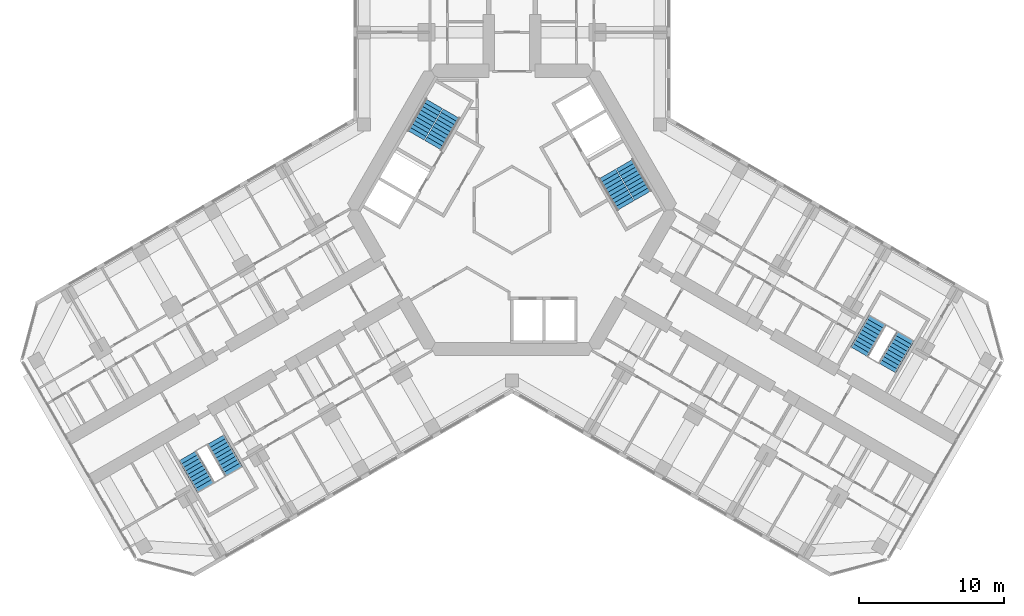
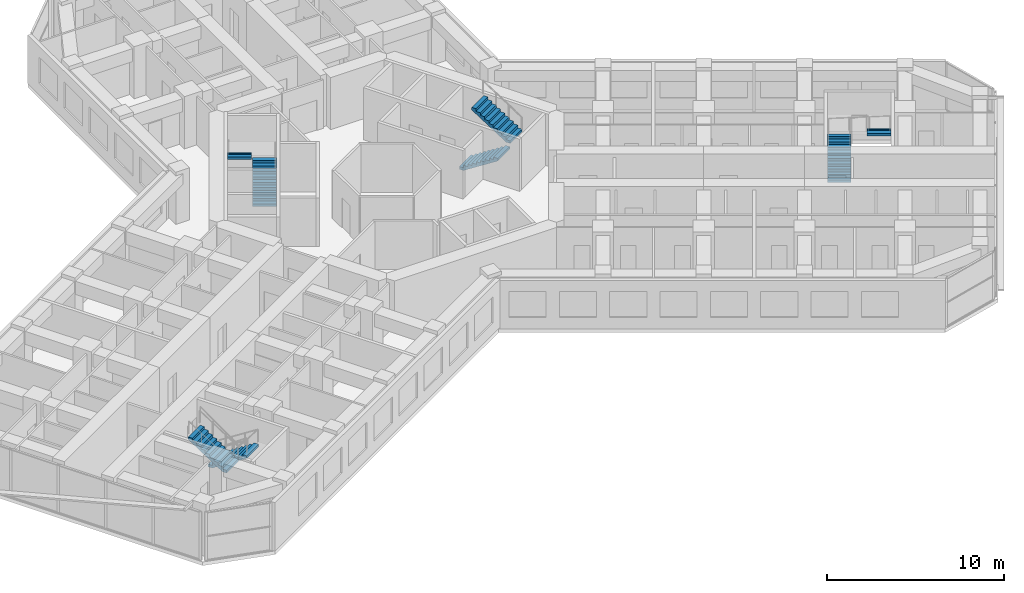
# One storey, part 19 of 20: 8 stair flights, 4 elements without a shape of their own.
"""IFC4 building model written with IfcOpenShell, lengths in metres."""

import ifcopenshell
import ifcopenshell.guid

model = None  # the IFC model being written
_history = None  # IfcOwnerHistory: only IFC2X3 demands one
_inside = {}  # id of a spatial element -> (the spatial element, [elements in it])
_under = {}  # id of a project, library or spatial element -> (it, [spatial elements below it])
_declared = {}  # id of a project -> (the project, [libraries it declares])
_typed = {}  # id of a type object -> (the type object, [elements of that type])
_made_of = {}  # id of a material, layer set ... -> (it, [elements and type objects made of it])


def new_model(schema):
    """Start an empty IFC model of exactly this schema.

    Asked for "IFC4X3", IfcOpenShell would pick the latest addendum, in which some entities
    have other attributes; the version numbers below select the first issue.
    IFC2X3 requires an IfcOwnerHistory on every rooted entity: one is made here for all.
    """
    global model, _history
    if schema == "IFC4X3":
        model = ifcopenshell.file(schema_version=(4, 3, 0, 0))
    else:
        model = ifcopenshell.file(schema=schema)
    _inside.clear()
    _under.clear()
    _declared.clear()
    _typed.clear()
    _made_of.clear()
    _history = None
    if model.schema == "IFC2X3":
        org = make("IfcOrganization", Name="unknown")
        user = make(
            "IfcPersonAndOrganization",
            ThePerson=make("IfcPerson", FamilyName="unknown"),
            TheOrganization=org,
        )
        app = make(
            "IfcApplication",
            ApplicationDeveloper=org,
            Version="unknown",
            ApplicationFullName="unknown",
            ApplicationIdentifier="unknown",
        )
        _history = make(
            "IfcOwnerHistory",
            OwningUser=user,
            OwningApplication=app,
            ChangeAction="ADDED",
            CreationDate=0,
        )
    return model


def make(cls, **values):
    """One entity of the class cls with the attributes given. An attribute that is None is left unset."""
    return model.create_entity(
        cls, **{name: value for name, value in values.items() if value is not None}
    )


def rooted(cls, **values):
    """An entity with a GlobalId (a new one), such as an element, a storey or a relation."""
    return make(cls, GlobalId=ifcopenshell.guid.new(), OwnerHistory=_history, **values)


def si_unit(unit_type, name, prefix=None):
    """IfcSIUnit, for example si_unit("LENGTHUNIT", "METRE", prefix="MILLI")."""
    return make("IfcSIUnit", UnitType=unit_type, Prefix=prefix, Name=name)


def assignment(units):
    """IfcUnitAssignment: the units of a project."""
    return None if units is None else make("IfcUnitAssignment", Units=units)


def point(xyz):
    """IfcCartesianPoint."""
    return None if xyz is None else make("IfcCartesianPoint", Coordinates=xyz)


def direction(xyz):
    """IfcDirection."""
    return None if xyz is None else make("IfcDirection", DirectionRatios=xyz)


def frame(location, z_axis=None, x_axis=None):
    """IfcAxis2Placement3D, a coordinate frame: its origin and axes. An axis left out is left unset."""
    return make(
        "IfcAxis2Placement3D",
        Location=point(location),
        Axis=direction(z_axis),
        RefDirection=direction(x_axis),
    )


def origin():
    """The frame at (0, 0, 0) with its axes left unset."""
    return frame((0.0, 0.0, 0.0))


def place(relative_to, where):
    """IfcLocalPlacement: puts the frame where relative to a parent placement (None: the world)."""
    return make(
        "IfcLocalPlacement", PlacementRelTo=relative_to, RelativePlacement=where
    )


def context(
    kind, dimensions, precision=None, world=None, true_north=None, identifier=None
):
    """IfcGeometricRepresentationContext, for example the 3D "Model" context."""
    return make(
        "IfcGeometricRepresentationContext",
        ContextIdentifier=identifier,
        ContextType=kind,
        CoordinateSpaceDimension=dimensions,
        Precision=precision,
        WorldCoordinateSystem=world,
        TrueNorth=true_north,
    )


def subcontext(parent, identifier, kind, view, scale=None):
    """IfcGeometricRepresentationSubContext, for example "Body" below "Model"."""
    return make(
        "IfcGeometricRepresentationSubContext",
        ContextIdentifier=identifier,
        ContextType=kind,
        ParentContext=parent,
        TargetScale=scale,
        TargetView=view,
    )


def project(units=None, contexts=None):
    """IfcProject with its units and contexts."""
    return rooted(
        "IfcProject",
        Name="project",
        RepresentationContexts=contexts,
        UnitsInContext=assignment(units),
    )


def spatial(cls, under=None, at=None, **own):
    """A site, building, storey or space (cls), placed at a placement, below another one or the project."""
    s = rooted(cls, ObjectPlacement=at, **own)
    if under is not None:
        _under.setdefault(under.id(), (under, []))[1].append(s)
    return s


def polyline(points):
    """IfcPolyline through the points."""
    return make("IfcPolyline", Points=[point(p) for p in points])


def outline(outer, holes=None, kind="AREA"):
    """IfcArbitraryClosedProfileDef: a profile drawn as a closed curve; with holes, ...WithVoids."""
    if holes is None:
        return make("IfcArbitraryClosedProfileDef", ProfileType=kind, OuterCurve=outer)
    return make(
        "IfcArbitraryProfileDefWithVoids",
        ProfileType=kind,
        OuterCurve=outer,
        InnerCurves=holes,
    )


def extrude(swept, where, along, depth):
    """IfcExtrudedAreaSolid: the profile swept, set in the frame where, extruded along a direction by depth."""
    return make(
        "IfcExtrudedAreaSolid",
        SweptArea=swept,
        Position=where,
        ExtrudedDirection=direction(along),
        Depth=depth,
    )


def shape(context_of_items, identifier, shape_type, items):
    """IfcShapeRepresentation: the items that make up one representation, for example the "Body"."""
    return make(
        "IfcShapeRepresentation",
        ContextOfItems=context_of_items,
        RepresentationIdentifier=identifier,
        RepresentationType=shape_type,
        Items=items,
    )


def material(Name=None, Category=None):
    """IfcMaterial."""
    return make("IfcMaterial", Name=Name, Category=Category)


def made_of(thing, what):
    """Note that an element or type object is made of a material, layer set ...; save() writes the relation."""
    if what is not None:
        _made_of.setdefault(what.id(), (what, []))[1].append(thing)
    return thing


def type_object(cls, material=None, **own):
    """A type object (cls), such as IfcWallType, which elements share."""
    return made_of(rooted(cls, **own), material)


def element(
    cls,
    number,
    at=None,
    inside=None,
    cuts=None,
    type_object=None,
    material=None,
    context=None,
    identifier="Body",
    shape_type=None,
    held_by="IfcProductDefinitionShape",
    body=None,
    shapes=None,
    **own,
):
    """One element of the class cls, such as IfcWall. Its Tag is "e" and its number.

    at: its placement. inside: the storey or other place that contains it. cuts: it is an
    opening in that element (IfcRelVoidsElement). A single representation is given by context,
    identifier, shape_type and body (its items); several are given by shapes. held_by: the class
    of the entity that holds the representations. save() writes the other relations.
    """
    e = rooted(cls, Tag="e%d" % number, ObjectPlacement=at, **own)
    if body is not None:
        shapes = [shape(context, identifier, shape_type, body)]
    if shapes is not None:
        e.Representation = make(held_by, Representations=shapes)
    if inside is not None:
        _inside.setdefault(inside.id(), (inside, []))[1].append(e)
    if cuts is not None:
        rooted(
            "IfcRelVoidsElement", RelatingBuildingElement=cuts, RelatedOpeningElement=e
        )
    if type_object is not None:
        _typed.setdefault(type_object.id(), (type_object, []))[1].append(e)
    return made_of(e, material)


def aggregate(whole, parts):
    """IfcRelAggregates: a whole, such as a stair, and the parts it consists of."""
    return rooted("IfcRelAggregates", RelatingObject=whole, RelatedObjects=parts)


def save(model, path):
    """Write the relations noted so far, then the file.

    IfcRelAggregates (storeys below a building ...), IfcRelContainedInSpatialStructure (elements
    in a storey), IfcRelDefinesByType, IfcRelAssociatesMaterial and IfcRelDeclares: one each for
    every whole, place, type object, material and project.
    """
    for whole, parts in _under.values():
        aggregate(whole, parts)
    for where, things in _inside.values():
        rooted(
            "IfcRelContainedInSpatialStructure",
            RelatedElements=things,
            RelatingStructure=where,
        )
    for kind, things in _typed.values():
        rooted("IfcRelDefinesByType", RelatedObjects=things, RelatingType=kind)
    for what, things in _made_of.values():
        rooted("IfcRelAssociatesMaterial", RelatedObjects=things, RelatingMaterial=what)
    for by, libraries in _declared.values():
        rooted("IfcRelDeclares", RelatingContext=by, RelatedDefinitions=libraries)
    model.write(path)


model = new_model("IFC4")

# Units and contexts
model_context = context("Model", 3, precision=1e-05, world=origin(), true_north=direction((0.0, 1.0)))
body_context = subcontext(model_context, "Body", "Model", "MODEL_VIEW")
ifc_project = project(units=[si_unit("LENGTHUNIT", "METRE"), si_unit("AREAUNIT", "SQUARE_METRE"), si_unit("VOLUMEUNIT", "CUBIC_METRE"), si_unit("PLANEANGLEUNIT", "RADIAN"), si_unit("MASSUNIT", "GRAM", prefix="KILO")], contexts=[model_context])

# Site, building, storey
site_placement = place(None, origin())
site = spatial("IfcSite", under=ifc_project, at=site_placement, CompositionType="ELEMENT")
building_placement = place(site_placement, origin())
building = spatial("IfcBuilding", under=site, at=building_placement, Name="Kosmar Iwan School Tower", CompositionType="ELEMENT")
storey_placement = place(building_placement, frame((0.0, 0.0, 176.0)))
storey = spatial("IfcBuildingStorey", under=building, at=storey_placement, Name="L44", CompositionType="ELEMENT", Elevation=176.0)

# Stair, stair flights
ifc_material_1 = material(Name="Concrete C35/45", Category="concrete")
stair_type_1 = type_object("IfcStairType", Name="Escape stair 3600", PredefinedType="HALF_TURN_STAIR", material=ifc_material_1)
stair_1_placement = place(storey_placement, origin())
stair_1 = element("IfcStair", 1, at=stair_1_placement, inside=storey, type_object=stair_type_1, Name="Stair WS2 L44", PredefinedType="HALF_TURN_STAIR")
ifc_material_2 = material(Name="Concrete C35/45", Category="concrete")
stair_flight_type_1 = type_object("IfcStairFlightType", Name="Escape stair flight 1350", PredefinedType="STRAIGHT", material=ifc_material_2)
stair_flight_1_placement = place(storey_placement, frame((-20.44189453125, -15.843505859375, 0.0), z_axis=(0.0, 0.0, 1.0), x_axis=(0.5, -0.866025403784, 0.0)))
stair_flight_1 = element("IfcStairFlight", 2, at=stair_flight_1_placement, type_object=stair_flight_type_1, Name="WS2 flight 1", NumberOfRisers=10, NumberOfTreads=9, PredefinedType="STRAIGHT", RiserHeight=0.18, TreadLength=0.28, context=body_context, shape_type="SweptSolid", body=[
    extrude(outline(polyline([(0.0, 0.0), (0.0, 0.179931640625), (0.280029296875, 0.179931640625), (0.280029296875, 0.360107421875), (0.56005859375, 0.360107421875), (0.56005859375, 0.5400390625), (0.840087890625, 0.5400390625), (0.840087890625, 0.719970703125), (1.1201171875, 0.719970703125), (1.1201171875, 0.89990234375), (1.39990234375, 0.89990234375), (1.39990234375, 1.080078125), (1.679931640625, 1.080078125), (1.679931640625, 1.260009765625), (1.9599609375, 1.260009765625), (1.9599609375, 1.43994140625), (2.239990234375, 1.43994140625), (2.239990234375, 1.6201171875), (2.52001953125, 1.6201171875), (2.52001953125, 1.800048828125), (2.52001953125, 1.44189453125), (0.277099609375, 0.0), (0.0, 0.0)])), frame((0.0, 0.675048828125, 0.0), z_axis=(0.0, -1.0, 0.0), x_axis=(1.0, 0.0, 0.0)), (0.0, 0.0, 1.0), 1.35009765625),
])
stair_flight_2_placement = place(storey_placement, frame((-21.13037109375, -19.15087890625, 1.800048828125), z_axis=(0.0, 0.0, 1.0), x_axis=(-0.5, 0.866025403784, 0.0)))
stair_flight_2 = element("IfcStairFlight", 3, at=stair_flight_2_placement, type_object=stair_flight_type_1, Name="WS2 flight 2", NumberOfRisers=10, NumberOfTreads=9, PredefinedType="STRAIGHT", RiserHeight=0.18, TreadLength=0.28, context=body_context, shape_type="SweptSolid", body=[
    extrude(outline(polyline([(0.0, 0.0), (0.0, 0.179931640625), (0.280029296875, 0.179931640625), (0.280029296875, 0.360107421875), (0.56005859375, 0.360107421875), (0.56005859375, 0.5400390625), (0.840087890625, 0.5400390625), (0.840087890625, 0.719970703125), (1.1201171875, 0.719970703125), (1.1201171875, 0.89990234375), (1.39990234375, 0.89990234375), (1.39990234375, 1.080078125), (1.679931640625, 1.080078125), (1.679931640625, 1.260009765625), (1.9599609375, 1.260009765625), (1.9599609375, 1.43994140625), (2.239990234375, 1.43994140625), (2.239990234375, 1.6201171875), (2.52001953125, 1.6201171875), (2.52001953125, 1.800048828125), (2.52001953125, 1.44189453125), (0.277099609375, 0.0), (0.0, 0.0)])), frame((0.0, 0.675048828125, 0.0), z_axis=(0.0, -1.0, 0.0), x_axis=(1.0, 0.0, 0.0)), (0.0, 0.0, 1.0), 1.35009765625),
])
aggregate(stair_1, [stair_flight_1, stair_flight_2])

stair_2_placement = place(storey_placement, origin())
stair_2 = element("IfcStair", 4, at=stair_2_placement, inside=storey, type_object=stair_type_1, Name="Stair WS3 L44", PredefinedType="HALF_TURN_STAIR")
stair_flight_3_placement = place(storey_placement, frame((23.94189453125, -9.781494140625, 0.0), z_axis=(0.0, 0.0, 1.0), x_axis=(0.5, 0.866025403784, 0.0)))
stair_flight_3 = element("IfcStairFlight", 5, at=stair_flight_3_placement, type_object=stair_flight_type_1, Name="WS3 flight 1", NumberOfRisers=10, NumberOfTreads=9, PredefinedType="STRAIGHT", RiserHeight=0.18, TreadLength=0.28, context=body_context, shape_type="SweptSolid", body=[
    extrude(outline(polyline([(0.0, 0.0), (0.0, 0.179931640625), (0.280029296875, 0.179931640625), (0.280029296875, 0.360107421875), (0.56005859375, 0.360107421875), (0.56005859375, 0.5400390625), (0.840087890625, 0.5400390625), (0.840087890625, 0.719970703125), (1.1201171875, 0.719970703125), (1.1201171875, 0.89990234375), (1.39990234375, 0.89990234375), (1.39990234375, 1.080078125), (1.679931640625, 1.080078125), (1.679931640625, 1.260009765625), (1.9599609375, 1.260009765625), (1.9599609375, 1.43994140625), (2.239990234375, 1.43994140625), (2.239990234375, 1.6201171875), (2.52001953125, 1.6201171875), (2.52001953125, 1.800048828125), (2.52001953125, 1.44189453125), (0.277099609375, 0.0), (0.0, 0.0)])), frame((0.0, 0.675048828125, 0.0), z_axis=(0.0, -1.0, 0.0), x_axis=(1.0, 0.0, 0.0)), (0.0, 0.0, 1.0), 1.35009765625),
])
stair_flight_4_placement = place(storey_placement, frame((27.150390625, -8.72412109375, 1.800048828125), z_axis=(0.0, 0.0, 1.0), x_axis=(-0.5, -0.866025403784, 0.0)))
stair_flight_4 = element("IfcStairFlight", 6, at=stair_flight_4_placement, type_object=stair_flight_type_1, Name="WS3 flight 2", NumberOfRisers=10, NumberOfTreads=9, PredefinedType="STRAIGHT", RiserHeight=0.18, TreadLength=0.28, context=body_context, shape_type="SweptSolid", body=[
    extrude(outline(polyline([(0.0, 0.0), (0.0, 0.179931640625), (0.280029296875, 0.179931640625), (0.280029296875, 0.360107421875), (0.56005859375, 0.360107421875), (0.56005859375, 0.5400390625), (0.840087890625, 0.5400390625), (0.840087890625, 0.719970703125), (1.1201171875, 0.719970703125), (1.1201171875, 0.89990234375), (1.39990234375, 0.89990234375), (1.39990234375, 1.080078125), (1.679931640625, 1.080078125), (1.679931640625, 1.260009765625), (1.9599609375, 1.260009765625), (1.9599609375, 1.43994140625), (2.239990234375, 1.43994140625), (2.239990234375, 1.6201171875), (2.52001953125, 1.6201171875), (2.52001953125, 1.800048828125), (2.52001953125, 1.44189453125), (0.277099609375, 0.0), (0.0, 0.0)])), frame((0.0, 0.675048828125, 0.0), z_axis=(0.0, -1.0, 0.0), x_axis=(1.0, 0.0, 0.0)), (0.0, 0.0, 1.0), 1.35009765625),
])
aggregate(stair_2, [stair_flight_3, stair_flight_4])

ifc_material_3 = material(Name="Concrete C35/45", Category="concrete")
stair_type_2 = type_object("IfcStairType", Name="Core stair 2750", PredefinedType="HALF_TURN_STAIR", material=ifc_material_3)
stair_3_placement = place(storey_placement, origin())
stair_3 = element("IfcStair", 7, at=stair_3_placement, inside=storey, type_object=stair_type_2, Name="Stair ST2 L44", PredefinedType="HALF_TURN_STAIR")
ifc_material_4 = material(Name="Concrete C35/45", Category="concrete")
stair_flight_type_2 = type_object("IfcStairFlightType", Name="Stair flight 1350", PredefinedType="STRAIGHT", material=ifc_material_4)
stair_flight_5_placement = place(storey_placement, frame((-5.42724609375, 4.44970703125, 0.0), z_axis=(0.0, 0.0, 1.0), x_axis=(0.5, 0.866025403784, 0.0)))
stair_flight_5 = element("IfcStairFlight", 8, at=stair_flight_5_placement, type_object=stair_flight_type_2, Name="ST2 flight 1", NumberOfRisers=10, NumberOfTreads=9, PredefinedType="STRAIGHT", RiserHeight=0.18, TreadLength=0.28, context=body_context, shape_type="SweptSolid", body=[
    extrude(outline(polyline([(0.0, 0.0), (0.0, 0.179931640625), (0.280029296875, 0.179931640625), (0.280029296875, 0.360107421875), (0.56005859375, 0.360107421875), (0.56005859375, 0.5400390625), (0.840087890625, 0.5400390625), (0.840087890625, 0.719970703125), (1.1201171875, 0.719970703125), (1.1201171875, 0.89990234375), (1.39990234375, 0.89990234375), (1.39990234375, 1.080078125), (1.679931640625, 1.080078125), (1.679931640625, 1.260009765625), (1.9599609375, 1.260009765625), (1.9599609375, 1.43994140625), (2.239990234375, 1.43994140625), (2.239990234375, 1.6201171875), (2.52001953125, 1.6201171875), (2.52001953125, 1.800048828125), (2.52001953125, 1.44189453125), (0.277099609375, 0.0), (0.0, 0.0)])), frame((0.0, 0.675048828125, 0.0), z_axis=(0.0, -1.0, 0.0), x_axis=(1.0, 0.0, 0.0)), (0.0, 0.0, 1.0), 1.35009765625),
])
stair_flight_6_placement = place(storey_placement, frame((-5.379638671875, 7.33203125, 1.800048828125), z_axis=(0.0, 0.0, 1.0), x_axis=(-0.5, -0.866025403784, 0.0)))
stair_flight_6 = element("IfcStairFlight", 9, at=stair_flight_6_placement, type_object=stair_flight_type_2, Name="ST2 flight 2", NumberOfRisers=10, NumberOfTreads=9, PredefinedType="STRAIGHT", RiserHeight=0.18, TreadLength=0.28, context=body_context, shape_type="SweptSolid", body=[
    extrude(outline(polyline([(0.0, 0.0), (0.0, 0.179931640625), (0.280029296875, 0.179931640625), (0.280029296875, 0.360107421875), (0.56005859375, 0.360107421875), (0.56005859375, 0.5400390625), (0.840087890625, 0.5400390625), (0.840087890625, 0.719970703125), (1.1201171875, 0.719970703125), (1.1201171875, 0.89990234375), (1.39990234375, 0.89990234375), (1.39990234375, 1.080078125), (1.679931640625, 1.080078125), (1.679931640625, 1.260009765625), (1.9599609375, 1.260009765625), (1.9599609375, 1.43994140625), (2.239990234375, 1.43994140625), (2.239990234375, 1.6201171875), (2.52001953125, 1.6201171875), (2.52001953125, 1.800048828125), (2.52001953125, 1.44189453125), (0.277099609375, 0.0), (0.0, 0.0)])), frame((0.0, 0.675048828125, 0.0), z_axis=(0.0, -1.0, 0.0), x_axis=(1.0, 0.0, 0.0)), (0.0, 0.0, 1.0), 1.35009765625),
])
aggregate(stair_3, [stair_flight_5, stair_flight_6])

stair_4_placement = place(storey_placement, origin())
stair_4 = element("IfcStair", 10, at=stair_4_placement, inside=storey, type_object=stair_type_2, Name="Stair ST1 L44", PredefinedType="HALF_TURN_STAIR")
stair_flight_7_placement = place(storey_placement, frame((6.567138671875, 2.475341796875, 0.0), z_axis=(0.0, 0.0, 1.0), x_axis=(0.5, -0.866025403784, 0.0)))
stair_flight_7 = element("IfcStairFlight", 11, at=stair_flight_7_placement, type_object=stair_flight_type_2, Name="ST1 flight 1", NumberOfRisers=10, NumberOfTreads=9, PredefinedType="STRAIGHT", RiserHeight=0.18, TreadLength=0.28, context=body_context, shape_type="SweptSolid", body=[
    extrude(outline(polyline([(0.0, 0.0), (0.0, 0.179931640625), (0.280029296875, 0.179931640625), (0.280029296875, 0.360107421875), (0.56005859375, 0.360107421875), (0.56005859375, 0.5400390625), (0.840087890625, 0.5400390625), (0.840087890625, 0.719970703125), (1.1201171875, 0.719970703125), (1.1201171875, 0.89990234375), (1.39990234375, 0.89990234375), (1.39990234375, 1.080078125), (1.679931640625, 1.080078125), (1.679931640625, 1.260009765625), (1.9599609375, 1.260009765625), (1.9599609375, 1.43994140625), (2.239990234375, 1.43994140625), (2.239990234375, 1.6201171875), (2.52001953125, 1.6201171875), (2.52001953125, 1.800048828125), (2.52001953125, 1.44189453125), (0.277099609375, 0.0), (0.0, 0.0)])), frame((0.0, 0.675048828125, 0.0), z_axis=(0.0, -1.0, 0.0), x_axis=(1.0, 0.0, 0.0)), (0.0, 0.0, 1.0), 1.35009765625),
])
stair_flight_8_placement = place(storey_placement, frame((9.03955078125, 0.992919921875, 1.800048828125), z_axis=(0.0, 0.0, 1.0), x_axis=(-0.5, 0.866025403784, 0.0)))
stair_flight_8 = element("IfcStairFlight", 12, at=stair_flight_8_placement, type_object=stair_flight_type_2, Name="ST1 flight 2", NumberOfRisers=10, NumberOfTreads=9, PredefinedType="STRAIGHT", RiserHeight=0.18, TreadLength=0.28, context=body_context, shape_type="SweptSolid", body=[
    extrude(outline(polyline([(0.0, 0.0), (0.0, 0.179931640625), (0.280029296875, 0.179931640625), (0.280029296875, 0.360107421875), (0.56005859375, 0.360107421875), (0.56005859375, 0.5400390625), (0.840087890625, 0.5400390625), (0.840087890625, 0.719970703125), (1.1201171875, 0.719970703125), (1.1201171875, 0.89990234375), (1.39990234375, 0.89990234375), (1.39990234375, 1.080078125), (1.679931640625, 1.080078125), (1.679931640625, 1.260009765625), (1.9599609375, 1.260009765625), (1.9599609375, 1.43994140625), (2.239990234375, 1.43994140625), (2.239990234375, 1.6201171875), (2.52001953125, 1.6201171875), (2.52001953125, 1.800048828125), (2.52001953125, 1.44189453125), (0.277099609375, 0.0), (0.0, 0.0)])), frame((0.0, 0.675048828125, 0.0), z_axis=(0.0, -1.0, 0.0), x_axis=(1.0, 0.0, 0.0)), (0.0, 0.0, 1.0), 1.35009765625),
])
aggregate(stair_4, [stair_flight_7, stair_flight_8])

save(model, "model.ifc")
